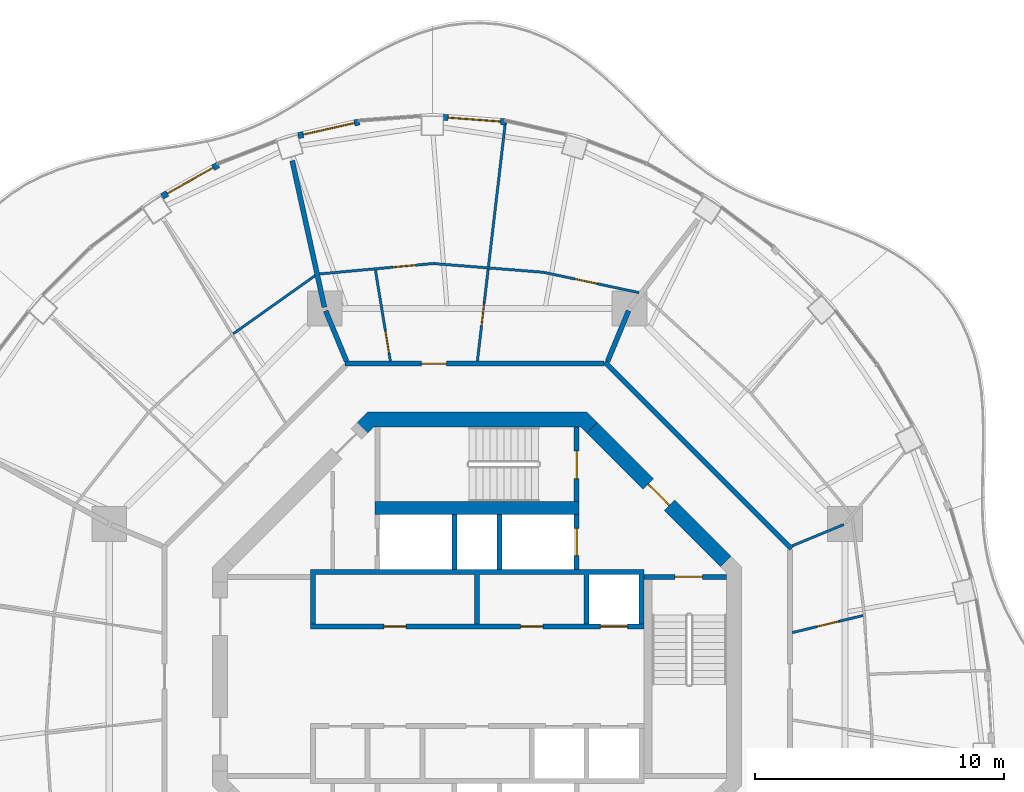
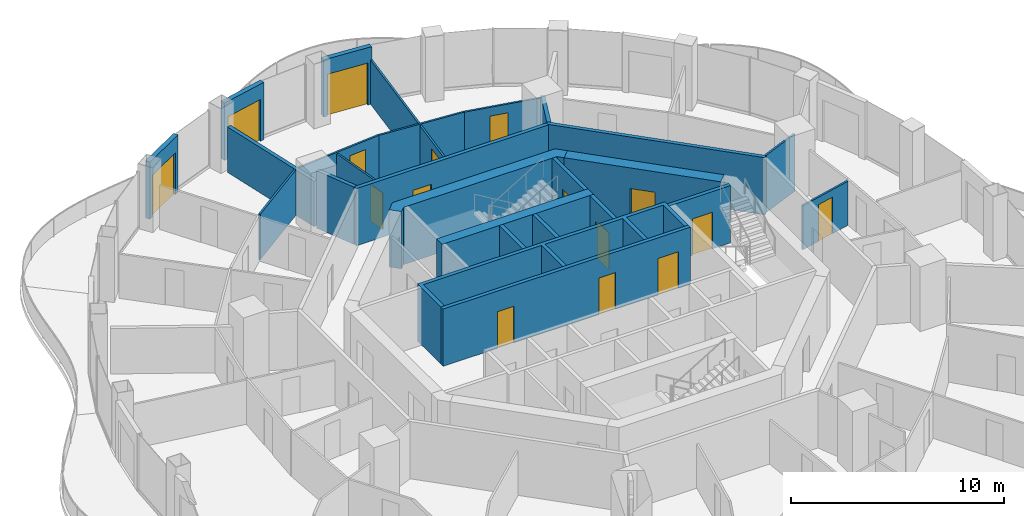
# One storey, part 13 of 17: 26 walls, 16 doors, 16 openings.
"""IFC4 building model written with IfcOpenShell, lengths in metres."""

from ifc_helpers import new_model, si_unit, direction, frame, frame_2d, origin, place, context, subcontext, project, spatial, polyline, rectangle, outline, extrude, material, layer, layer_set, type_object, element, fill, save


model = new_model("IFC4")

# Units and contexts
model_context = context("Model", 3, precision=1e-05, world=origin(), true_north=direction((0.0, 1.0)))
body_context = subcontext(model_context, "Body", "Model", "MODEL_VIEW")
ifc_project = project(units=[si_unit("LENGTHUNIT", "METRE"), si_unit("AREAUNIT", "SQUARE_METRE"), si_unit("VOLUMEUNIT", "CUBIC_METRE"), si_unit("PLANEANGLEUNIT", "RADIAN"), si_unit("MASSUNIT", "GRAM", prefix="KILO")], contexts=[model_context])

# Site, building, storey
site_placement = place(None, origin())
site = spatial("IfcSite", under=ifc_project, at=site_placement, CompositionType="ELEMENT")
building_placement = place(site_placement, origin())
building = spatial("IfcBuilding", under=site, at=building_placement, Name="Nagisa Residences", CompositionType="ELEMENT")
storey_placement = place(building_placement, frame((0.0, 0.0, 295.5)))
storey = spatial("IfcBuildingStorey", under=building, at=storey_placement, Name="L75", CompositionType="ELEMENT", Elevation=295.5)

# Walls
ifc_material_1 = material(Name="Gypsum board on steel studs", Category="steel")
ifc_layer_1 = layer(ifc_material_1, 0.199951171875)
ifc_layer_set_1 = layer_set([ifc_layer_1], Name="Apartment compartment wall EI60 200")
wall_type_1 = type_object("IfcWallType", Name="Apartment compartment wall EI60 200", PredefinedType="PARTITIONING", material=ifc_layer_set_1)
wall_1_placement = place(storey_placement, frame((5.24267578125, 12.6572265625, 0.0), z_axis=(0.0, 0.0, 1.0), x_axis=(0.382691608661, 0.923876145736, 0.0)))
element("IfcWall", 1, at=wall_1_placement, inside=storey, type_object=wall_type_1, Name="wall:L75:u00", PredefinedType="PARTITIONING", context=body_context, shape_type="SweptSolid", body=[
    extrude(rectangle(XDim=2.19970703125, YDim=0.199951171875, at=frame_2d((1.099853515625, 0.0))), origin(), (0.0, 0.0, 1.0), 3.280029296875),
])
wall_2_placement = place(storey_placement, frame((-5.24267578125, 12.6572265625, 0.0), z_axis=(0.0, 0.0, 1.0), x_axis=(-0.38273085373, 0.923859888513, 0.0)))
element("IfcWall", 2, at=wall_2_placement, inside=storey, type_object=wall_type_1, Name="wall:L75:u02", PredefinedType="PARTITIONING", context=body_context, shape_type="SweptSolid", body=[
    extrude(rectangle(XDim=2.199462890625, YDim=0.199951171875, at=frame_2d((1.099609375, 0.0))), origin(), (0.0, 0.0, 1.0), 3.280029296875),
])
wall_3_placement = place(storey_placement, frame((-6.133544921875, 14.830810546875, 0.0), z_axis=(0.0, 0.0, 1.0), x_axis=(-0.214842475666, 0.976648714047, 0.0)))
element("IfcWall", 3, at=wall_3_placement, inside=storey, type_object=wall_type_1, Name="wall:L75:u03", PredefinedType="PARTITIONING", context=body_context, shape_type="SweptSolid", body=[
    extrude(rectangle(XDim=6.03076171875, YDim=0.199951171875, at=frame_2d((3.015380859375, 0.0))), origin(), (0.0, 0.0, 1.0), 2.60205078125),
])
ifc_material_2 = material(Name="Gypsum board on steel studs", Category="steel")
ifc_layer_2 = layer(ifc_material_2, 0.199951171875)
ifc_layer_set_2 = layer_set([ifc_layer_2], Name="Apartment entry wall EI60 200")
wall_type_2 = type_object("IfcWallType", Name="Apartment entry wall EI60 200", PredefinedType="PARTITIONING", material=ifc_layer_set_2)
wall_4_placement = place(storey_placement, frame((12.635498046875, 5.1337890625, 0.0), z_axis=(0.0, 0.0, 1.0), x_axis=(-0.707106781187, 0.707106781187, 0.0)))
element("IfcWall", 4, at=wall_4_placement, inside=storey, type_object=wall_type_2, Name="wall:L75:u11", PredefinedType="PARTITIONING", context=body_context, shape_type="SweptSolid", body=[
    extrude(rectangle(XDim=10.609130859375, YDim=0.199951171875, at=frame_2d((5.3046875, 0.0))), origin(), (0.0, 0.0, 1.0), 3.280029296875),
])

# Wall, opening, door
wall_5_placement = place(storey_placement, frame((5.1044921875, 12.564697265625, 0.0), z_axis=(0.0, 0.0, 1.0), x_axis=(-1.0, 0.0, 0.0)))
wall_5 = element("IfcWall", 5, at=wall_5_placement, inside=storey, type_object=wall_type_2, Name="wall:L75:u12", PredefinedType="PARTITIONING", context=body_context, shape_type="SweptSolid", body=[
    extrude(rectangle(XDim=10.408935546875, YDim=0.199951171875, at=frame_2d((5.20458984375, 0.0))), origin(), (0.0, 0.0, 1.0), 3.280029296875),
])
opening_1_placement = place(wall_5_placement, frame((6.33935546875, 0.0, 0.0)))
opening_1 = element("IfcOpeningElement", 6, at=opening_1_placement, cuts=wall_5, Name="Opening L75-U20", PredefinedType="OPENING", context=body_context, shape_type="SweptSolid", body=[
    extrude(rectangle(XDim=1.0, YDim=2.10009765625, at=frame_2d((0.5, 1.050048828125))), frame((0.0, 0.10986328125, 0.0), z_axis=(0.0, -1.0, 0.0), x_axis=(1.0, 0.0, 0.0)), (0.0, 0.0, 1.0), 0.219970703125),
])
ifc_material_3 = material(Name="Timber fire door set", Category="wood")
door_type_1 = type_object("IfcDoorType", Name="Apartment entry door FD30S 1000x2100", OperationType="NOTDEFINED", PredefinedType="DOOR", material=ifc_material_3)
door_1_placement = place(opening_1_placement, frame((1.0, 0.0, 0.0), x_axis=(-1.0, 0.0, 0.0)))
door_1 = element("IfcDoor", 7, at=door_1_placement, inside=storey, type_object=door_type_1, Name="Entry door, Apartment 75C", OperationType="SINGLE_SWING_LEFT", OverallHeight=2.10009765625, OverallWidth=1.0, PredefinedType="DOOR", context=body_context, shape_type="SweptSolid", body=[
    extrude(rectangle(XDim=1.0, YDim=2.10009765625, at=frame_2d((0.5, 1.050048828125))), frame((0.0, 0.02490234375, 0.0), z_axis=(0.0, -1.0, 0.0), x_axis=(1.0, 0.0, 0.0)), (0.0, 0.0, 1.0), 0.050048828125),
])
fill(opening_1, door_1)

ifc_material_4 = material(Name="Gypsum board on steel studs", Category="steel")
ifc_layer_3 = layer(ifc_material_4, 0.10009765625)
ifc_layer_set_3 = layer_set([ifc_layer_3], Name="Apartment partition 100")
wall_type_3 = type_object("IfcWallType", Name="Apartment partition 100", PredefinedType="PARTITIONING", material=ifc_layer_set_3)
wall_6_placement = place(storey_placement, frame((12.661865234375, 1.75830078125, 0.0), z_axis=(0.0, 0.0, 1.0), x_axis=(0.972004827836, 0.234960879007, 0.0)))
wall_6 = element("IfcWall", 8, at=wall_6_placement, inside=storey, type_object=wall_type_3, Name="wall:L75:u22", PredefinedType="PARTITIONING", context=body_context, shape_type="SweptSolid", body=[
    extrude(rectangle(XDim=2.93017578125, YDim=0.10009765625, at=frame_2d((1.465087890625, 0.0))), origin(), (0.0, 0.0, 1.0), 2.527099609375),
])
opening_2_placement = place(wall_6_placement, frame((1.014892578125, 0.0, 0.0)))
opening_2 = element("IfcOpeningElement", 9, at=opening_2_placement, cuts=wall_6, Name="Opening L75-U14", PredefinedType="OPENING", context=body_context, shape_type="SweptSolid", body=[
    extrude(rectangle(XDim=0.89990234375, YDim=2.10009765625, at=frame_2d((0.449951171875, 1.050048828125))), frame((0.0, 0.06005859375, 0.0), z_axis=(0.0, -1.0, 0.0), x_axis=(1.0, 0.0, 0.0)), (0.0, 0.0, 1.0), 0.1201171875),
])
ifc_material_5 = material(Name="Timber door set", Category="wood")
door_type_2 = type_object("IfcDoorType", Name="Apartment door 900x2100", OperationType="NOTDEFINED", PredefinedType="DOOR", material=ifc_material_5)
door_2_placement = place(opening_2_placement, origin())
door_2 = element("IfcDoor", 10, at=door_2_placement, inside=storey, type_object=door_type_2, Name="Door to family bathroom, Apartment 75B", OperationType="SINGLE_SWING_RIGHT", OverallHeight=2.10009765625, OverallWidth=0.89990234375, PredefinedType="DOOR", context=body_context, shape_type="SweptSolid", body=[
    extrude(rectangle(XDim=0.89990234375, YDim=2.10009765625, at=frame_2d((0.449951171875, 1.050048828125))), frame((0.0, 0.02490234375, 0.0), z_axis=(0.0, -1.0, 0.0), x_axis=(1.0, 0.0, 0.0)), (0.0, 0.0, 1.0), 0.050048828125),
])
fill(opening_2, door_2)

# Wall
wall_7_placement = place(storey_placement, frame((12.6572265625, 5.24267578125, 0.0), z_axis=(0.0, 0.0, 1.0), x_axis=(0.923864733477, 0.382719158442, 0.0)))
element("IfcWall", 11, at=wall_7_placement, inside=storey, type_object=wall_type_3, Name="wall:L75:u24", PredefinedType="PARTITIONING", context=body_context, shape_type="SweptSolid", body=[
    extrude(rectangle(XDim=2.25, YDim=0.10009765625, at=frame_2d((1.125, 0.0))), origin(), (0.0, 0.0, 1.0), 3.280029296875),
])

# Wall, opening, door
wall_8_placement = place(storey_placement, frame((6.50048828125, 15.41943359375, 0.0), z_axis=(0.0, 0.0, 1.0), x_axis=(-0.978053492557, 0.208353943321, 0.0)))
wall_8 = element("IfcWall", 12, at=wall_8_placement, inside=storey, type_object=wall_type_3, Name="wall:L75:u29", PredefinedType="PARTITIONING", context=body_context, shape_type="SweptSolid", body=[
    extrude(rectangle(XDim=3.873779296875, YDim=0.10009765625, at=frame_2d((1.93701171875, 0.0))), origin(), (0.0, 0.0, 1.0), 2.60205078125),
])
opening_3_placement = place(wall_8_placement, frame((1.71435546875, 0.0, 0.0)))
opening_3 = element("IfcOpeningElement", 13, at=opening_3_placement, cuts=wall_8, Name="Opening L75-U23", PredefinedType="OPENING", context=body_context, shape_type="SweptSolid", body=[
    extrude(rectangle(XDim=0.89990234375, YDim=2.10009765625, at=frame_2d((0.449951171875, 1.050048828125))), frame((0.0, 0.06005859375, 0.0), z_axis=(0.0, -1.0, 0.0), x_axis=(1.0, 0.0, 0.0)), (0.0, 0.0, 1.0), 0.1201171875),
])
door_3_placement = place(opening_3_placement, frame((0.89990234375, 0.0, 0.0), x_axis=(-1.0, 0.0, 0.0)))
door_3 = element("IfcDoor", 14, at=door_3_placement, inside=storey, type_object=door_type_2, Name="Door to kitchen, Apartment 75C", OperationType="SINGLE_SWING_RIGHT", OverallHeight=2.10009765625, OverallWidth=0.89990234375, PredefinedType="DOOR", context=body_context, shape_type="SweptSolid", body=[
    extrude(rectangle(XDim=0.89990234375, YDim=2.10009765625, at=frame_2d((0.449951171875, 1.050048828125))), frame((0.0, 0.02490234375, 0.0), z_axis=(0.0, -1.0, 0.0), x_axis=(1.0, 0.0, 0.0)), (0.0, 0.0, 1.0), 0.050048828125),
])
fill(opening_3, door_3)

# Wall
wall_9_placement = place(storey_placement, frame((2.712646484375, 16.23291015625, 0.0), z_axis=(0.0, 0.0, 1.0), x_axis=(-0.996870142942, 0.079056423588, 0.0)))
element("IfcWall", 15, at=wall_9_placement, inside=storey, type_object=wall_type_3, Name="wall:L75:u30", PredefinedType="PARTITIONING", context=body_context, shape_type="SweptSolid", body=[
    extrude(rectangle(XDim=4.437744140625, YDim=0.10009765625, at=frame_2d((2.21875, 0.0))), origin(), (0.0, 0.0, 1.0), 2.60205078125),
])

# Wall, opening, door
wall_10_placement = place(storey_placement, frame((0.01171875, 12.6640625, 0.0), z_axis=(0.0, 0.0, 1.0), x_axis=(0.11636251357, 0.993206808996, 0.0)))
wall_10 = element("IfcWall", 16, at=wall_10_placement, inside=storey, type_object=wall_type_3, Name="wall:L75:u31", PredefinedType="PARTITIONING", context=body_context, shape_type="SweptSolid", body=[
    extrude(rectangle(XDim=9.7646484375, YDim=0.10009765625, at=frame_2d((4.88232421875, 0.0))), origin(), (0.0, 0.0, 1.0), 2.527099609375),
])
opening_4_placement = place(wall_10_placement, frame((1.43701171875, 0.0, 0.0)))
opening_4 = element("IfcOpeningElement", 17, at=opening_4_placement, cuts=wall_10, Name="Opening L75-U21", PredefinedType="OPENING", context=body_context, shape_type="SweptSolid", body=[
    extrude(rectangle(XDim=0.89990234375, YDim=2.10009765625, at=frame_2d((0.449951171875, 1.050048828125))), frame((0.0, 0.06005859375, 0.0), z_axis=(0.0, -1.0, 0.0), x_axis=(1.0, 0.0, 0.0)), (0.0, 0.0, 1.0), 0.1201171875),
])
door_4_placement = place(opening_4_placement, frame((0.89990234375, 0.0, 0.0), x_axis=(-1.0, 0.0, 0.0)))
door_4 = element("IfcDoor", 18, at=door_4_placement, inside=storey, type_object=door_type_2, Name="Door to laundry, Apartment 75C", OperationType="SINGLE_SWING_RIGHT", OverallHeight=2.10009765625, OverallWidth=0.89990234375, PredefinedType="DOOR", context=body_context, shape_type="SweptSolid", body=[
    extrude(rectangle(XDim=0.89990234375, YDim=2.10009765625, at=frame_2d((0.449951171875, 1.050048828125))), frame((0.0, 0.02490234375, 0.0), z_axis=(0.0, -1.0, 0.0), x_axis=(1.0, 0.0, 0.0)), (0.0, 0.0, 1.0), 0.050048828125),
])
fill(opening_4, door_4)

wall_11_placement = place(storey_placement, frame((-1.711181640625, 16.59228515625, 0.0), z_axis=(0.0, 0.0, 1.0), x_axis=(-0.995843837247, -0.091077175065, 0.0)))
wall_11 = element("IfcWall", 19, at=wall_11_placement, inside=storey, type_object=wall_type_3, Name="wall:L75:u32", PredefinedType="PARTITIONING", context=body_context, shape_type="SweptSolid", body=[
    extrude(rectangle(XDim=4.634765625, YDim=0.10009765625, at=frame_2d((2.3173828125, 0.0))), origin(), (0.0, 0.0, 1.0), 2.60205078125),
])
opening_5_placement = place(wall_11_placement, frame((0.771240234375, 0.0, 0.0)))
opening_5 = element("IfcOpeningElement", 20, at=opening_5_placement, cuts=wall_11, Name="Opening L75-U24", PredefinedType="OPENING", context=body_context, shape_type="SweptSolid", body=[
    extrude(rectangle(XDim=0.89990234375, YDim=2.10009765625, at=frame_2d((0.449951171875, 1.050048828125))), frame((0.0, 0.06005859375, 0.0), z_axis=(0.0, -1.0, 0.0), x_axis=(1.0, 0.0, 0.0)), (0.0, 0.0, 1.0), 0.1201171875),
])
door_5_placement = place(opening_5_placement, frame((0.89990234375, 0.0, 0.0), x_axis=(-1.0, 0.0, 0.0)))
door_5 = element("IfcDoor", 21, at=door_5_placement, inside=storey, type_object=door_type_2, Name="Door to master bedroom, Apartment 75C", OperationType="SINGLE_SWING_LEFT", OverallHeight=2.10009765625, OverallWidth=0.89990234375, PredefinedType="DOOR", context=body_context, shape_type="SweptSolid", body=[
    extrude(rectangle(XDim=0.89990234375, YDim=2.10009765625, at=frame_2d((0.449951171875, 1.050048828125))), frame((0.0, 0.02490234375, 0.0), z_axis=(0.0, -1.0, 0.0), x_axis=(1.0, 0.0, 0.0)), (0.0, 0.0, 1.0), 0.050048828125),
])
fill(opening_5, door_5)

wall_12_placement = place(storey_placement, frame((-3.48583984375, 12.663330078125, 0.0), z_axis=(0.0, 0.0, 1.0), x_axis=(-0.161602751674, 0.986855891532, 0.0)))
wall_12 = element("IfcWall", 22, at=wall_12_placement, inside=storey, type_object=wall_type_3, Name="wall:L75:u33", PredefinedType="PARTITIONING", context=body_context, shape_type="SweptSolid", body=[
    extrude(rectangle(XDim=3.71044921875, YDim=0.10009765625, at=frame_2d((1.855224609375, 0.0))), origin(), (0.0, 0.0, 1.0), 2.527099609375),
])
opening_6_placement = place(wall_12_placement, frame((0.35009765625, 0.0, 0.0)))
opening_6 = element("IfcOpeningElement", 23, at=opening_6_placement, cuts=wall_12, Name="Opening L75-U22", PredefinedType="OPENING", context=body_context, shape_type="SweptSolid", body=[
    extrude(rectangle(XDim=0.89990234375, YDim=2.10009765625, at=frame_2d((0.449951171875, 1.050048828125))), frame((0.0, 0.06005859375, 0.0), z_axis=(0.0, -1.0, 0.0), x_axis=(1.0, 0.0, 0.0)), (0.0, 0.0, 1.0), 0.1201171875),
])
door_6_placement = place(opening_6_placement, origin())
door_6 = element("IfcDoor", 24, at=door_6_placement, inside=storey, type_object=door_type_2, Name="Door to family bathroom, Apartment 75C", OperationType="SINGLE_SWING_RIGHT", OverallHeight=2.10009765625, OverallWidth=0.89990234375, PredefinedType="DOOR", context=body_context, shape_type="SweptSolid", body=[
    extrude(rectangle(XDim=0.89990234375, YDim=2.10009765625, at=frame_2d((0.449951171875, 1.050048828125))), frame((0.0, 0.02490234375, 0.0), z_axis=(0.0, -1.0, 0.0), x_axis=(1.0, 0.0, 0.0)), (0.0, 0.0, 1.0), 0.050048828125),
])
fill(opening_6, door_6)

# Wall
wall_13_placement = place(storey_placement, frame((-6.5078125, 16.10302734375, 0.0), z_axis=(0.0, 0.0, 1.0), x_axis=(-0.815202203556, -0.579176456114, 0.0)))
element("IfcWall", 25, at=wall_13_placement, inside=storey, type_object=wall_type_3, Name="wall:L75:u34", PredefinedType="PARTITIONING", context=body_context, shape_type="SweptSolid", body=[
    extrude(rectangle(XDim=4.0361328125, YDim=0.10009765625, at=frame_2d((2.01806640625, 0.0))), origin(), (0.0, 0.0, 1.0), 2.60205078125),
])

# Wall, opening, door
ifc_material_6 = material(Name="Precast concrete C40/50", Category="concrete")
ifc_layer_4 = layer(ifc_material_6, 0.25)
ifc_layer_set_4 = layer_set([ifc_layer_4], Name="BALCONY DOOR WALL 250")
wall_type_4 = type_object("IfcWallType", Name="BALCONY DOOR WALL 250", PredefinedType="SOLIDWALL", material=ifc_layer_set_4)
wall_14_placement = place(storey_placement, frame((-1.360595703125, 22.464111328125, 0.0), z_axis=(0.0, 0.0, 1.0), x_axis=(0.997229684519, -0.074383844448, 0.0)))
wall_14 = element("IfcWall", 26, at=wall_14_placement, inside=storey, type_object=wall_type_4, Name="wall:L75:bay11", PredefinedType="SOLIDWALL", context=body_context, shape_type="SweptSolid", body=[
    extrude(rectangle(XDim=2.5107421875, YDim=0.25, at=frame_2d((1.25537109375, 0.0))), origin(), (0.0, 0.0, 1.0), 3.280029296875),
])
opening_7_placement = place(wall_14_placement, frame((0.205322265625, 0.0, 0.0)))
opening_7 = element("IfcOpeningElement", 27, at=opening_7_placement, cuts=wall_14, Name="Opening BD-L75-04", PredefinedType="OPENING", context=body_context, shape_type="SweptSolid", body=[
    extrude(rectangle(XDim=2.10009765625, YDim=2.39990234375, at=frame_2d((1.050048828125, 1.199951171875))), frame((0.0, 0.135009765625, 0.0), z_axis=(0.0, -1.0, 0.0), x_axis=(1.0, 0.0, 0.0)), (0.0, 0.0, 1.0), 0.27001953125),
])
ifc_material_7 = material(Name="Aluminium and clear glass", Category="aluminium")
door_type_3 = type_object("IfcDoorType", Name="BALCONY SLIDING DOOR 2100x2400", OperationType="SLIDING_TO_LEFT", PredefinedType="DOOR", material=ifc_material_7)
door_7_placement = place(opening_7_placement, origin())
door_7 = element("IfcDoor", 28, at=door_7_placement, inside=storey, type_object=door_type_3, Name="door:L75:bay11", OperationType="SLIDING_TO_LEFT", OverallHeight=2.39990234375, OverallWidth=2.10009765625, PredefinedType="DOOR", context=body_context, shape_type="SweptSolid", body=[
    extrude(rectangle(XDim=2.10009765625, YDim=2.39990234375, at=frame_2d((1.050048828125, 1.199951171875))), frame((0.0, 0.02490234375, 0.0), z_axis=(0.0, -1.0, 0.0), x_axis=(1.0, 0.0, 0.0)), (0.0, 0.0, 1.0), 0.050048828125),
])
fill(opening_7, door_7)

wall_15_placement = place(storey_placement, frame((-7.18798828125, 21.72265625, 0.0), z_axis=(0.0, 0.0, 1.0), x_axis=(0.975319584032, 0.220797891756, 0.0)))
wall_15 = element("IfcWall", 29, at=wall_15_placement, inside=storey, type_object=wall_type_4, Name="wall:L75:bay13", PredefinedType="SOLIDWALL", context=body_context, shape_type="SweptSolid", body=[
    extrude(rectangle(XDim=2.525390625, YDim=0.25, at=frame_2d((1.2626953125, 0.0))), origin(), (0.0, 0.0, 1.0), 3.280029296875),
])
opening_8_placement = place(wall_15_placement, frame((0.212646484375, 0.0, 0.0)))
opening_8 = element("IfcOpeningElement", 30, at=opening_8_placement, cuts=wall_15, Name="Opening BD-L75-05", PredefinedType="OPENING", context=body_context, shape_type="SweptSolid", body=[
    extrude(rectangle(XDim=2.10009765625, YDim=2.39990234375, at=frame_2d((1.050048828125, 1.199951171875))), frame((0.0, 0.135009765625, 0.0), z_axis=(0.0, -1.0, 0.0), x_axis=(1.0, 0.0, 0.0)), (0.0, 0.0, 1.0), 0.27001953125),
])
door_8_placement = place(opening_8_placement, origin())
door_8 = element("IfcDoor", 31, at=door_8_placement, inside=storey, type_object=door_type_3, Name="door:L75:bay13", OperationType="SLIDING_TO_LEFT", OverallHeight=2.39990234375, OverallWidth=2.10009765625, PredefinedType="DOOR", context=body_context, shape_type="SweptSolid", body=[
    extrude(rectangle(XDim=2.10009765625, YDim=2.39990234375, at=frame_2d((1.050048828125, 1.199951171875))), frame((0.0, 0.02490234375, 0.0), z_axis=(0.0, -1.0, 0.0), x_axis=(1.0, 0.0, 0.0)), (0.0, 0.0, 1.0), 0.050048828125),
])
fill(opening_8, door_8)

wall_16_placement = place(storey_placement, frame((-12.656494140625, 19.284912109375, 0.0), z_axis=(0.0, 0.0, 1.0), x_axis=(0.872075426507, 0.489371485154, 0.0)))
wall_16 = element("IfcWall", 32, at=wall_16_placement, inside=storey, type_object=wall_type_4, Name="wall:L75:bay15", PredefinedType="SOLIDWALL", context=body_context, shape_type="SweptSolid", body=[
    extrude(rectangle(XDim=2.59326171875, YDim=0.25, at=frame_2d((1.296630859375, 0.0))), origin(), (0.0, 0.0, 1.0), 3.280029296875),
])
opening_9_placement = place(wall_16_placement, frame((0.24658203125, 0.0, 0.0)))
opening_9 = element("IfcOpeningElement", 33, at=opening_9_placement, cuts=wall_16, Name="Opening BD-L75-06", PredefinedType="OPENING", context=body_context, shape_type="SweptSolid", body=[
    extrude(rectangle(XDim=2.10009765625, YDim=2.39990234375, at=frame_2d((1.050048828125, 1.199951171875))), frame((0.0, 0.135009765625, 0.0), z_axis=(0.0, -1.0, 0.0), x_axis=(1.0, 0.0, 0.0)), (0.0, 0.0, 1.0), 0.27001953125),
])
door_9_placement = place(opening_9_placement, origin())
door_9 = element("IfcDoor", 34, at=door_9_placement, inside=storey, type_object=door_type_3, Name="door:L75:bay15", OperationType="SLIDING_TO_LEFT", OverallHeight=2.39990234375, OverallWidth=2.10009765625, PredefinedType="DOOR", context=body_context, shape_type="SweptSolid", body=[
    extrude(rectangle(XDim=2.10009765625, YDim=2.39990234375, at=frame_2d((1.050048828125, 1.199951171875))), frame((0.0, 0.02490234375, 0.0), z_axis=(0.0, -1.0, 0.0), x_axis=(1.0, 0.0, 0.0)), (0.0, 0.0, 1.0), 0.050048828125),
])
fill(opening_9, door_9)

ifc_material_8 = material(Name="Concrete C60", Category="concrete")
ifc_layer_5 = layer(ifc_material_8, 0.60009765625)
ifc_layer_set_5 = layer_set([ifc_layer_5], Name="Core shear wall 600")
wall_type_5 = type_object("IfcWallType", Name="Core shear wall 600", PredefinedType="SHEAR", material=ifc_layer_set_5)
wall_17_placement = place(storey_placement, frame((9.98828125, 4.613037109375, 0.0), z_axis=(0.0, 0.0, 1.0), x_axis=(-0.707106781187, 0.707106781187, 0.0)))
wall_17 = element("IfcWall", 35, at=wall_17_placement, inside=storey, type_object=wall_type_5, Name="wall:L75:core:flat1", PredefinedType="SHEAR", context=body_context, shape_type="SweptSolid", body=[
    extrude(rectangle(XDim=7.601806640625, YDim=0.60009765625, at=frame_2d((3.80078125, 0.0))), origin(), (0.0, 0.0, 1.0), 3.280029296875),
])
opening_10_placement = place(wall_17_placement, frame((3.200927734375, 0.0, 0.0)))
opening_10 = element("IfcOpeningElement", 36, at=opening_10_placement, cuts=wall_17, Name="Opening L75-C18", PredefinedType="OPENING", context=body_context, shape_type="SweptSolid", body=[
    extrude(rectangle(XDim=1.199951171875, YDim=2.10009765625, at=frame_2d((0.60009765625, 1.050048828125))), frame((0.0, 0.31005859375, 0.0), z_axis=(0.0, -1.0, 0.0), x_axis=(1.0, 0.0, 0.0)), (0.0, 0.0, 1.0), 0.6201171875),
])
ifc_material_9 = material(Name="Steel fire door", Category="steel")
door_type_4 = type_object("IfcDoorType", Name="Fire door EI60 1200x2100 single swing", OperationType="NOTDEFINED", PredefinedType="DOOR", material=ifc_material_9)
door_10_placement = place(opening_10_placement, origin())
door_10 = element("IfcDoor", 37, at=door_10_placement, inside=storey, type_object=door_type_4, Name="Firefighting lobby 1 door L75", OperationType="SINGLE_SWING_RIGHT", OverallHeight=2.10009765625, OverallWidth=1.199951171875, PredefinedType="DOOR", context=body_context, shape_type="SweptSolid", body=[
    extrude(rectangle(XDim=1.199951171875, YDim=2.10009765625, at=frame_2d((0.60009765625, 1.050048828125))), frame((0.0, 0.02490234375, 0.0), z_axis=(0.0, -1.0, 0.0), x_axis=(1.0, 0.0, 0.0)), (0.0, 0.0, 1.0), 0.050048828125),
])
fill(opening_10, door_10)

# Wall
wall_18_placement = place(storey_placement, origin())
element("IfcWall", 38, at=wall_18_placement, inside=storey, type_object=wall_type_5, Name="wall:L75:core:flat2", PredefinedType="SHEAR", context=body_context, shape_type="SweptSolid", body=[
    extrude(outline(polyline([(-4.15234375, 10.024658203125), (-4.40087890625, 9.776123046875), (-4.8251953125, 10.200439453125), (-4.40087890625, 10.62451171875), (4.40087890625, 10.62451171875), (4.8251953125, 10.200439453125), (4.40087890625, 9.776123046875), (4.15234375, 10.024658203125), (-4.15234375, 10.024658203125)])), origin(), (0.0, 0.0, 1.0), 3.280029296875),
])

# Wall, opening, door
ifc_material_10 = material(Name="Concrete C60", Category="concrete")
ifc_layer_6 = layer(ifc_material_10, 0.199951171875)
ifc_layer_set_6 = layer_set([ifc_layer_6], Name="Lift shaft wall 200")
wall_type_6 = type_object("IfcWallType", Name="Lift shaft wall 200", PredefinedType="SOLIDWALL", material=ifc_layer_set_6)
wall_19_placement = place(storey_placement, frame((4.0, 4.300048828125, 0.0), z_axis=(0.0, 0.0, 1.0), x_axis=(0.0, 1.0, 0.0)))
wall_19 = element("IfcWall", 39, at=wall_19_placement, inside=storey, type_object=wall_type_6, Name="wall:L75:Nb3", PredefinedType="SOLIDWALL", context=body_context, shape_type="SweptSolid", body=[
    extrude(rectangle(XDim=2.199951171875, YDim=0.199951171875, at=frame_2d((1.10009765625, 0.0))), origin(), (0.0, 0.0, 1.0), 3.280029296875),
])
opening_11_placement = place(wall_19_placement, frame((0.550048828125, 0.0, 0.0)))
opening_11 = element("IfcOpeningElement", 40, at=opening_11_placement, cuts=wall_19, Name="Opening L75-C04", PredefinedType="OPENING", context=body_context, shape_type="SweptSolid", body=[
    extrude(rectangle(XDim=1.10009765625, YDim=2.10009765625, at=frame_2d((0.550048828125, 1.050048828125))), frame((0.0, 0.10986328125, 0.0), z_axis=(0.0, -1.0, 0.0), x_axis=(1.0, 0.0, 0.0)), (0.0, 0.0, 1.0), 0.219970703125),
])
ifc_material_11 = material(Name="Stainless steel", Category="steel")
door_type_5 = type_object("IfcDoorType", Name="Lift landing door 1100x2100", OperationType="DOUBLE_DOOR_SLIDING", PredefinedType="DOOR", material=ifc_material_11)
door_11_placement = place(opening_11_placement, origin())
door_11 = element("IfcDoor", 41, at=door_11_placement, inside=storey, type_object=door_type_5, Name="Landing door FL1 L75", OperationType="DOUBLE_DOOR_SLIDING", OverallHeight=2.10009765625, OverallWidth=1.10009765625, PredefinedType="DOOR", context=body_context, shape_type="SweptSolid", body=[
    extrude(rectangle(XDim=1.10009765625, YDim=2.10009765625, at=frame_2d((0.550048828125, 1.050048828125))), frame((0.0, 0.02490234375, 0.0), z_axis=(0.0, -1.0, 0.0), x_axis=(1.0, 0.0, 0.0)), (0.0, 0.0, 1.0), 0.050048828125),
])
fill(opening_11, door_11)

# Wall, openings, doors
wall_20_placement = place(storey_placement, frame((-6.699951171875, 2.0, 0.0), z_axis=(0.0, 0.0, 1.0), x_axis=(1.0, 0.0, 0.0)))
wall_20 = element("IfcWall", 42, at=wall_20_placement, inside=storey, type_object=wall_type_6, Name="wall:L75:Nfront", PredefinedType="SOLIDWALL", context=body_context, shape_type="SweptSolid", body=[
    extrude(rectangle(XDim=13.39990234375, YDim=0.199951171875, at=frame_2d((6.699951171875, 0.0))), origin(), (0.0, 0.0, 1.0), 3.280029296875),
])
opening_12_placement = place(wall_20_placement, frame((11.64990234375, 0.0, 0.0)))
opening_12 = element("IfcOpeningElement", 43, at=opening_12_placement, cuts=wall_20, Name="Opening L75-C01", PredefinedType="OPENING", context=body_context, shape_type="SweptSolid", body=[
    extrude(rectangle(XDim=1.10009765625, YDim=2.10009765625, at=frame_2d((0.550048828125, 1.050048828125))), frame((0.0, 0.10986328125, 0.0), z_axis=(0.0, -1.0, 0.0), x_axis=(1.0, 0.0, 0.0)), (0.0, 0.0, 1.0), 0.219970703125),
])
opening_13_placement = place(wall_20_placement, frame((2.949951171875, 0.0, 0.0)))
opening_13 = element("IfcOpeningElement", 44, at=opening_13_placement, cuts=wall_20, Name="Opening L75-C13", PredefinedType="OPENING", context=body_context, shape_type="SweptSolid", body=[
    extrude(rectangle(XDim=0.89990234375, YDim=2.10009765625, at=frame_2d((0.449951171875, 1.050048828125))), frame((0.0, 0.10986328125, 0.0), z_axis=(0.0, -1.0, 0.0), x_axis=(1.0, 0.0, 0.0)), (0.0, 0.0, 1.0), 0.219970703125),
])
opening_14_placement = place(wall_20_placement, frame((8.449951171875, 0.0, 0.0)))
opening_14 = element("IfcOpeningElement", 45, at=opening_14_placement, cuts=wall_20, Name="Opening L75-C14", PredefinedType="OPENING", context=body_context, shape_type="SweptSolid", body=[
    extrude(rectangle(XDim=0.89990234375, YDim=2.10009765625, at=frame_2d((0.449951171875, 1.050048828125))), frame((0.0, 0.10986328125, 0.0), z_axis=(0.0, -1.0, 0.0), x_axis=(1.0, 0.0, 0.0)), (0.0, 0.0, 1.0), 0.219970703125),
])
ifc_material_12 = material(Name="Steel fire door", Category="steel")
door_type_6 = type_object("IfcDoorType", Name="Fire door EI30 900x2100 single swing", OperationType="NOTDEFINED", PredefinedType="DOOR", material=ifc_material_12)
door_12_placement = place(opening_13_placement, origin())
door_12 = element("IfcDoor", 46, at=door_12_placement, inside=storey, type_object=door_type_6, Name="Owner storage door L75", OperationType="SINGLE_SWING_RIGHT", OverallHeight=2.10009765625, OverallWidth=0.89990234375, PredefinedType="DOOR", context=body_context, shape_type="SweptSolid", body=[
    extrude(rectangle(XDim=0.89990234375, YDim=2.10009765625, at=frame_2d((0.449951171875, 1.050048828125))), frame((0.0, 0.02490234375, 0.0), z_axis=(0.0, -1.0, 0.0), x_axis=(1.0, 0.0, 0.0)), (0.0, 0.0, 1.0), 0.050048828125),
])
fill(opening_13, door_12)
door_13_placement = place(opening_14_placement, origin())
door_13 = element("IfcDoor", 47, at=door_13_placement, inside=storey, type_object=door_type_6, Name="Recycling room door L75", OperationType="SINGLE_SWING_RIGHT", OverallHeight=2.10009765625, OverallWidth=0.89990234375, PredefinedType="DOOR", context=body_context, shape_type="SweptSolid", body=[
    extrude(rectangle(XDim=0.89990234375, YDim=2.10009765625, at=frame_2d((0.449951171875, 1.050048828125))), frame((0.0, 0.02490234375, 0.0), z_axis=(0.0, -1.0, 0.0), x_axis=(1.0, 0.0, 0.0)), (0.0, 0.0, 1.0), 0.050048828125),
])
fill(opening_14, door_13)
door_14_placement = place(opening_12_placement, origin())
door_14 = element("IfcDoor", 48, at=door_14_placement, inside=storey, type_object=door_type_5, Name="Landing door C1 L75", OperationType="DOUBLE_DOOR_SLIDING", OverallHeight=2.10009765625, OverallWidth=1.10009765625, PredefinedType="DOOR", context=body_context, shape_type="SweptSolid", body=[
    extrude(rectangle(XDim=1.10009765625, YDim=2.10009765625, at=frame_2d((0.550048828125, 1.050048828125))), frame((0.0, 0.02490234375, 0.0), z_axis=(0.0, -1.0, 0.0), x_axis=(1.0, 0.0, 0.0)), (0.0, 0.0, 1.0), 0.050048828125),
])
fill(opening_12, door_14)

# Walls
for number, where, z_axis, x_axis, name in (
    (49, (-0.89990234375, 4.300048828125, 0.0), (0.0, 0.0, 1.0), (0.0, 1.0, 0.0), "wall:L75:Nb1"),
    (50, (0.89990234375, 4.300048828125, 0.0), (0.0, 0.0, 1.0), (0.0, 1.0, 0.0), "wall:L75:Nb2"),
):
    element("IfcWall", number, at=place(storey_placement, frame(where, z_axis=z_axis, x_axis=x_axis)), inside=storey, type_object=wall_type_6, Name=name, PredefinedType="SOLIDWALL", context=body_context, shape_type="SweptSolid", body=[
        extrude(rectangle(XDim=2.199951171875, YDim=0.199951171875, at=frame_2d((1.10009765625, 0.0))), origin(), (0.0, 0.0, 1.0), 3.280029296875),
    ])
wall_21_placement = place(storey_placement, origin())
element("IfcWall", 51, at=wall_21_placement, inside=storey, type_object=wall_type_6, Name="wall:L75:Nback", PredefinedType="SOLIDWALL", context=body_context, shape_type="SweptSolid", body=[
    extrude(outline(polyline([(-6.699951171875, 4.300048828125), (6.699951171875, 4.300048828125), (6.699951171875, 2.10009765625), (6.5, 2.10009765625), (6.5, 4.10009765625), (4.5, 4.10009765625), (4.5, 2.10009765625), (4.300048828125, 2.10009765625), (4.300048828125, 4.10009765625), (0.10009765625, 4.10009765625), (0.10009765625, 2.10009765625), (-0.10009765625, 2.10009765625), (-0.10009765625, 4.10009765625), (-6.5, 4.10009765625), (-6.5, 2.10009765625), (-6.699951171875, 2.10009765625), (-6.699951171875, 4.300048828125)])), origin(), (0.0, 0.0, 1.0), 3.280029296875),
])

# Wall, opening, door
ifc_material_13 = material(Name="Concrete C60", Category="concrete")
ifc_layer_7 = layer(ifc_material_13, 0.199951171875)
ifc_layer_set_7 = layer_set([ifc_layer_7], Name="Stair enclosure wall 200")
wall_type_7 = type_object("IfcWallType", Name="Stair enclosure wall 200", PredefinedType="SOLIDWALL", material=ifc_layer_set_7)
wall_22_placement = place(storey_placement, frame((6.699951171875, 4.0, 0.0), z_axis=(0.0, 0.0, 1.0), x_axis=(1.0, 0.0, 0.0)))
wall_22 = element("IfcWall", 52, at=wall_22_placement, inside=storey, type_object=wall_type_7, Name="wall:L75:SE_n", PredefinedType="SOLIDWALL", context=body_context, shape_type="SweptSolid", body=[
    extrude(rectangle(XDim=3.32470703125, YDim=0.199951171875, at=frame_2d((1.662353515625, 0.0))), origin(), (0.0, 0.0, 1.0), 3.280029296875),
])
opening_15_placement = place(wall_22_placement, frame((1.25, 0.0, 0.0)))
opening_15 = element("IfcOpeningElement", 53, at=opening_15_placement, cuts=wall_22, Name="Opening L75-C07", PredefinedType="OPENING", context=body_context, shape_type="SweptSolid", body=[
    extrude(rectangle(XDim=1.10009765625, YDim=2.10009765625, at=frame_2d((0.550048828125, 1.050048828125))), frame((0.0, 0.10986328125, 0.0), z_axis=(0.0, -1.0, 0.0), x_axis=(1.0, 0.0, 0.0)), (0.0, 0.0, 1.0), 0.219970703125),
])
ifc_material_14 = material(Name="Steel fire door", Category="steel")
door_type_7 = type_object("IfcDoorType", Name="Fire door EI90 1100x2100 single swing", OperationType="NOTDEFINED", PredefinedType="DOOR", material=ifc_material_14)
door_15_placement = place(opening_15_placement, frame((1.10009765625, 0.0, 0.0), x_axis=(-1.0, 0.0, 0.0)))
door_15 = element("IfcDoor", 54, at=door_15_placement, inside=storey, type_object=door_type_7, Name="Stair door ST-E L75", OperationType="SINGLE_SWING_LEFT", OverallHeight=2.10009765625, OverallWidth=1.10009765625, PredefinedType="DOOR", context=body_context, shape_type="SweptSolid", body=[
    extrude(rectangle(XDim=1.10009765625, YDim=2.10009765625, at=frame_2d((0.550048828125, 1.050048828125))), frame((0.0, 0.02490234375, 0.0), z_axis=(0.0, -1.0, 0.0), x_axis=(1.0, 0.0, 0.0)), (0.0, 0.0, 1.0), 0.050048828125),
])
fill(opening_15, door_15)

wall_23_placement = place(storey_placement, frame((4.0, 7.024658203125, 0.0), z_axis=(0.0, 0.0, 1.0), x_axis=(0.0, 1.0, 0.0)))
wall_23 = element("IfcWall", 55, at=wall_23_placement, inside=storey, type_object=wall_type_7, Name="wall:L75:SN_e", PredefinedType="SOLIDWALL", context=body_context, shape_type="SweptSolid", body=[
    extrude(rectangle(XDim=3.0, YDim=0.199951171875, at=frame_2d((1.5, 0.0))), origin(), (0.0, 0.0, 1.0), 3.280029296875),
])
opening_16_placement = place(wall_23_placement, frame((0.92529296875, 0.0, 0.0)))
opening_16 = element("IfcOpeningElement", 56, at=opening_16_placement, cuts=wall_23, Name="Opening L75-C08", PredefinedType="OPENING", context=body_context, shape_type="SweptSolid", body=[
    extrude(rectangle(XDim=1.10009765625, YDim=2.10009765625, at=frame_2d((0.550048828125, 1.050048828125))), frame((0.0, 0.10986328125, 0.0), z_axis=(0.0, -1.0, 0.0), x_axis=(1.0, 0.0, 0.0)), (0.0, 0.0, 1.0), 0.219970703125),
])
door_16_placement = place(opening_16_placement, origin())
door_16 = element("IfcDoor", 57, at=door_16_placement, inside=storey, type_object=door_type_7, Name="Stair door ST-N L75", OperationType="SINGLE_SWING_RIGHT", OverallHeight=2.10009765625, OverallWidth=1.10009765625, PredefinedType="DOOR", context=body_context, shape_type="SweptSolid", body=[
    extrude(rectangle(XDim=1.10009765625, YDim=2.10009765625, at=frame_2d((0.550048828125, 1.050048828125))), frame((0.0, 0.02490234375, 0.0), z_axis=(0.0, -1.0, 0.0), x_axis=(1.0, 0.0, 0.0)), (0.0, 0.0, 1.0), 0.050048828125),
])
fill(opening_16, door_16)

# Wall
wall_24_placement = place(storey_placement, origin())
element("IfcWall", 58, at=wall_24_placement, inside=storey, type_object=wall_type_7, Name="wall:L75:SN_s", PredefinedType="SOLIDWALL", context=body_context, shape_type="SweptSolid", body=[
    extrude(outline(polyline([(4.10009765625, 6.5), (-4.10009765625, 6.5), (-4.10009765625, 7.024658203125), (4.10009765625, 7.024658203125), (4.10009765625, 6.5)])), origin(), (0.0, 0.0, 1.0), 3.280029296875),
])

save(model, "model.ifc")
